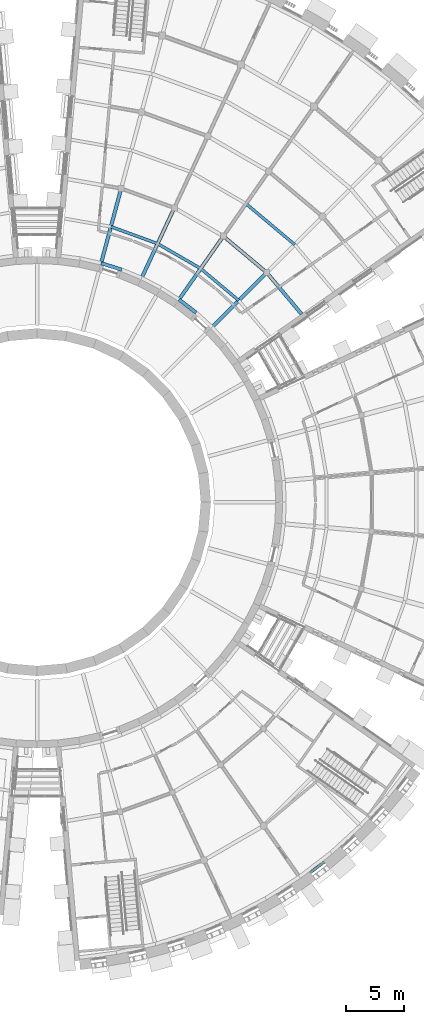
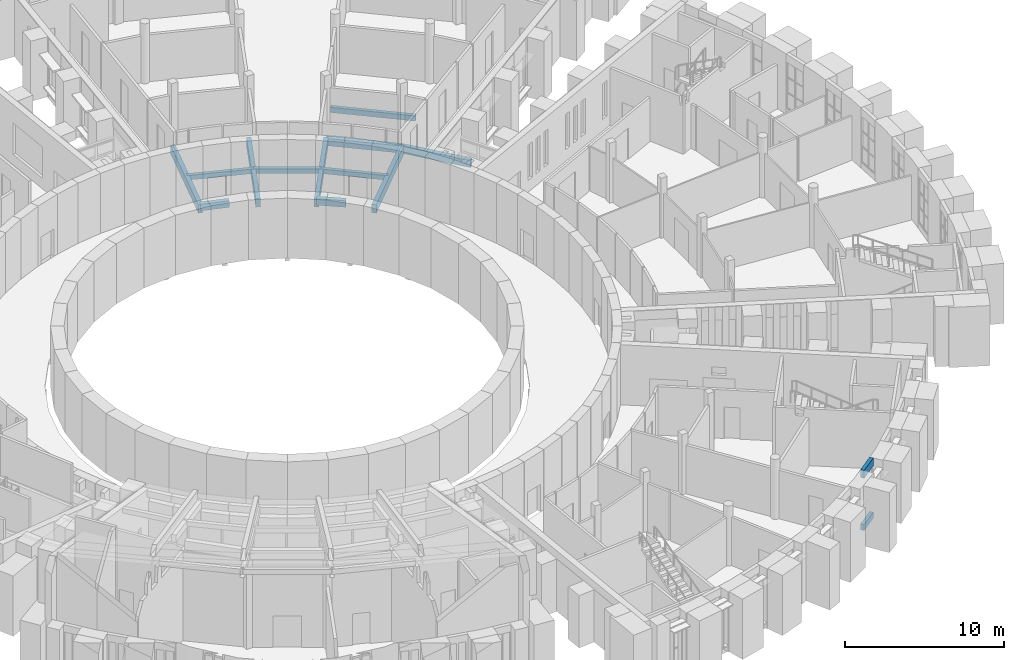
# One storey, part 14 of 66: 14 beams.
"""IFC4 building model written with IfcOpenShell, lengths in metres."""

from ifc_helpers import new_model, si_unit, direction, frame, origin, origin_2d, place, context, subcontext, project, spatial, rectangle, extrude, material, material_profile, profile_set, type_object, element, save


model = new_model("IFC4")

# Units and contexts
model_context = context("Model", 3, precision=1e-05, world=origin(), true_north=direction((0.0, 1.0)))
body_context = subcontext(model_context, "Body", "Model", "MODEL_VIEW")
ifc_project = project(units=[si_unit("LENGTHUNIT", "METRE"), si_unit("AREAUNIT", "SQUARE_METRE"), si_unit("VOLUMEUNIT", "CUBIC_METRE"), si_unit("PLANEANGLEUNIT", "RADIAN"), si_unit("MASSUNIT", "GRAM", prefix="KILO")], contexts=[model_context])

# Site, building, storey
site_placement = place(None, origin())
site = spatial("IfcSite", under=ifc_project, at=site_placement, CompositionType="ELEMENT")
building_placement = place(site_placement, origin())
building = spatial("IfcBuilding", under=site, at=building_placement, Name="Volute Hill Aquarium", CompositionType="ELEMENT")
storey_placement = place(building_placement, frame((0.0, 0.0, 4.60009765625)))
storey = spatial("IfcBuildingStorey", under=building, at=storey_placement, Name="L02", CompositionType="ELEMENT", Elevation=4.60009765625)

# Beams
ifc_material_1 = material(Name="Concrete C35/45", Category="concrete")
ifc_material_profile_1 = material_profile(ifc_material_1, rectangle(XDim=0.300048828125, YDim=0.550048828125, at=origin_2d()), Name="RC beam 300x550")
ifc_profile_set_1 = profile_set([ifc_material_profile_1], Name="Concrete C35/45")
beam_type_1 = type_object("IfcBeamType", Name="Beam 300x550 C35/45", PredefinedType="BEAM", material=ifc_profile_set_1)
beam_1_placement = place(storey_placement, frame((22.612548828125, 16.07763671875, -0.565185546875), z_axis=(-0.642753784499, 0.766072824549, 0.0), x_axis=(-0.766072824549, -0.642753784499, 0.0)))
element("IfcBeam", 1, at=beam_1_placement, inside=storey, type_object=beam_type_1, Name="bm/S5/L02/ring1.17", PredefinedType="BEAM", context=body_context, shape_type="SweptSolid", body=[
    extrude(rectangle(XDim=0.300048828125, YDim=0.550048828125, at=origin_2d()), origin(), (0.0, 0.0, 1.0), 4.638427734375),
])
beam_2_placement = place(storey_placement, frame((19.631103515625, 19.631103515625, -0.565185546875), z_axis=(-0.766062524641, 0.642766060352, 0.0), x_axis=(-0.642766060352, -0.766062524641, 0.0)))
element("IfcBeam", 2, at=beam_2_placement, inside=storey, type_object=beam_type_1, Name="bm/S5/L02/ring1.18", PredefinedType="BEAM", context=body_context, shape_type="SweptSolid", body=[
    extrude(rectangle(XDim=0.300048828125, YDim=0.550048828125, at=origin_2d()), origin(), (0.0, 0.0, 1.0), 4.83935546875),
])
ifc_material_2 = material(Name="Concrete C35/45", Category="concrete")
ifc_material_profile_2 = material_profile(ifc_material_2, rectangle(XDim=0.300048828125, YDim=0.64990234375, at=origin_2d()), Name="RC beam 300x650")
ifc_profile_set_2 = profile_set([ifc_material_profile_2], Name="Concrete C35/45")
beam_type_2 = type_object("IfcBeamType", Name="Beam 300x650 C35/45", PredefinedType="BEAM", material=ifc_profile_set_2)
beam_3_placement = place(storey_placement, frame((14.84912109375, 14.84912109375, -0.614990234375), z_axis=(0.707106781187, 0.707106781187, 0.0), x_axis=(-0.707106781187, 0.707106781187, 0.0)))
element("IfcBeam", 3, at=beam_3_placement, inside=storey, type_object=beam_type_2, Name="bm/S5/L02/rad1.1", PredefinedType="BEAM", context=body_context, shape_type="SweptSolid", body=[
    extrude(rectangle(XDim=0.300048828125, YDim=0.64990234375, at=origin_2d()), origin(), (0.0, 0.0, 1.0), 6.7626953125),
])
for number, where, z_axis, x_axis, name in (
    (4, (12.045166015625, 17.2021484375, -0.614990234375), (0.573559259618, 0.819164071299, 0.0), (-0.819164071299, 0.573559259618, 0.0), "bm/S5/L02/rad2.5"),
    (5, (8.875, 19.032470703125, -0.614990234375), (0.422612703053, 0.906310379074, 0.0), (-0.906310379074, 0.422612703053, 0.0), "bm/S5/L02/rad3.9"),
    (6, (5.435302734375, 20.284423828125, -0.614990234375), (0.258819697111, 0.965925651584, 0.0), (-0.965925651584, 0.258819697111, 0.0), "bm/S5/L02/rad4.13"),
):
    element("IfcBeam", number, at=place(storey_placement, frame(where, z_axis=z_axis, x_axis=x_axis)), inside=storey, type_object=beam_type_2, Name=name, PredefinedType="BEAM", context=body_context, shape_type="SweptSolid", body=[
        extrude(rectangle(XDim=0.300048828125, YDim=0.64990234375, at=origin_2d()), origin(), (0.0, 0.0, 1.0), 6.762451171875),
    ])
ifc_material_3 = material(Name="Concrete C35/45", Category="concrete")
ifc_material_profile_3 = material_profile(ifc_material_3, rectangle(XDim=0.300048828125, YDim=0.5, at=origin_2d()), Name="RC edge beam 300x500")
ifc_profile_set_3 = profile_set([ifc_material_profile_3], Name="Concrete C35/45")
beam_type_3 = type_object("IfcBeamType", Name="Edge beam 300x500 C35/45", PredefinedType="BEAM", material=ifc_profile_set_3)
for number, where, z_axis, x_axis, name in (
    (7, (13.594970703125, 16.201904296875, -0.5400390625), (-0.79334647843, 0.608770371457, 0.0), (-0.608770371457, -0.79334647843, 0.0), "bm/S5/L02/edgeD.35"),
    (8, (7.23388671875, 19.87451171875, -0.5400390625), (-0.953704567191, 0.300745072312, 0.0), (-0.300745072312, -0.953704567191, 0.0), "bm/S5/L02/edgeD.39"),
):
    element("IfcBeam", number, at=place(storey_placement, frame(where, z_axis=z_axis, x_axis=x_axis)), inside=storey, type_object=beam_type_3, Name=name, PredefinedType="BEAM", context=body_context, shape_type="SweptSolid", body=[
        extrude(rectangle(XDim=0.300048828125, YDim=0.5, at=origin_2d()), origin(), (0.0, 0.0, 1.0), 1.84521484375),
    ])
ifc_material_4 = material(Name="Concrete C35/45", Category="concrete")
ifc_material_profile_4 = material_profile(ifc_material_4, rectangle(XDim=0.25, YDim=0.35009765625, at=origin_2d()), Name="RC joist 250x350")
ifc_profile_set_4 = profile_set([ifc_material_profile_4], Name="Concrete C35/45")
beam_type_4 = type_object("IfcBeamType", Name="Joist 250x350 C35/45", PredefinedType="BEAM", material=ifc_profile_set_4)
beam_4_placement = place(storey_placement, frame((17.239990234375, 17.239990234375, -0.465087890625), z_axis=(-0.766003551743, 0.642836338983, 0.0), x_axis=(-0.642836338983, -0.766003551743, 0.0)))
element("IfcBeam", 9, at=beam_4_placement, inside=storey, type_object=beam_type_4, Name="bm/S5/L02/jst2", PredefinedType="BEAM", context=body_context, shape_type="SweptSolid", body=[
    extrude(rectangle(XDim=0.25, YDim=0.35009765625, at=origin_2d()), origin(), (0.0, 0.0, 1.0), 4.249755859375),
])
for number, where, z_axis, x_axis, name in (
    (10, (13.984619140625, 19.971923828125, -0.465087890625), (-0.866028703517, 0.499994284652, 0.0), (-0.499994284652, -0.866028703517, 0.0), "bm/S5/L02/jst3"),
    (11, (10.303955078125, 22.096923828125, -0.465087890625), (-0.939689391499, 0.342029015588, 0.0), (-0.342029015588, -0.939689391499, 0.0), "bm/S5/L02/jst4"),
):
    element("IfcBeam", number, at=place(storey_placement, frame(where, z_axis=z_axis, x_axis=x_axis)), inside=storey, type_object=beam_type_4, Name=name, PredefinedType="BEAM", context=body_context, shape_type="SweptSolid", body=[
        extrude(rectangle(XDim=0.25, YDim=0.35009765625, at=origin_2d()), origin(), (0.0, 0.0, 1.0), 4.25),
    ])
ifc_material_5 = material(Name="Concrete C35/45", Category="concrete")
ifc_material_profile_5 = material_profile(ifc_material_5, rectangle(XDim=0.25, YDim=0.39990234375, at=origin_2d()), Name="RC joist 250x400")
ifc_profile_set_5 = profile_set([ifc_material_profile_5], Name="Concrete C35/45")
beam_type_5 = type_object("IfcBeamType", Name="Joist 250x400 C35/45", PredefinedType="BEAM", material=ifc_profile_set_5)
beam_5_placement = place(storey_placement, frame((22.02197265625, 22.02197265625, -0.489990234375), z_axis=(-0.766049383872, 0.64278172148, 0.0), x_axis=(-0.64278172148, -0.766049383872, 0.0)))
element("IfcBeam", 12, at=beam_5_placement, inside=storey, type_object=beam_type_5, Name="bm/S5/L02/jst7", PredefinedType="BEAM", context=body_context, shape_type="SweptSolid", body=[
    extrude(rectangle(XDim=0.25, YDim=0.39990234375, at=origin_2d()), origin(), (0.0, 0.0, 1.0), 5.4287109375),
])
ifc_material_6 = material(Name="Concrete C35/45", Category="concrete")
ifc_material_profile_6 = material_profile(ifc_material_6, rectangle(XDim=0.25, YDim=0.60009765625, at=origin_2d()), Name="RC beam 250x600")
ifc_profile_set_6 = profile_set([ifc_material_profile_6], Name="Concrete C35/45")
beam_type_6 = type_object("IfcBeamType", Name="Niche head beam RC 250x600 C35/45", PredefinedType="BEAM", material=ifc_profile_set_6)
beam_6_placement = place(storey_placement, frame((23.356201171875, -31.66162109375, 4.2998046875), z_axis=(0.793421630925, 0.608672420584, 0.0), x_axis=(-0.608672420584, 0.793421630925, 0.0)))
element("IfcBeam", 13, at=beam_6_placement, inside=storey, type_object=beam_type_6, Name="Niche head beam OWB S3 L02 7", PredefinedType="BEAM", context=body_context, shape_type="SweptSolid", body=[
    extrude(rectangle(XDim=0.25, YDim=0.60009765625, at=origin_2d()), origin(), (0.0, 0.0, 1.0), 1.4892578125),
])
ifc_material_7 = material(Name="Concrete C35/45", Category="concrete")
ifc_material_profile_7 = material_profile(ifc_material_7, rectangle(XDim=0.25, YDim=0.449951171875, at=origin_2d()), Name="RC beam 250x450")
ifc_profile_set_7 = profile_set([ifc_material_profile_7], Name="Concrete C35/45")
beam_type_7 = type_object("IfcBeamType", Name="Niche sill beam RC 250x450 C35/45", PredefinedType="BEAM", material=ifc_profile_set_7)
beam_7_placement = place(storey_placement, frame((23.356201171875, -31.66162109375, 0.224853515625), z_axis=(0.793421630925, 0.608672420584, 0.0), x_axis=(-0.608672420584, 0.793421630925, 0.0)))
element("IfcBeam", 14, at=beam_7_placement, inside=storey, type_object=beam_type_7, Name="Niche sill beam OWB S3 L02 7", PredefinedType="BEAM", context=body_context, shape_type="SweptSolid", body=[
    extrude(rectangle(XDim=0.25, YDim=0.449951171875, at=origin_2d()), origin(), (0.0, 0.0, 1.0), 1.4892578125),
])

save(model, "model.ifc")
